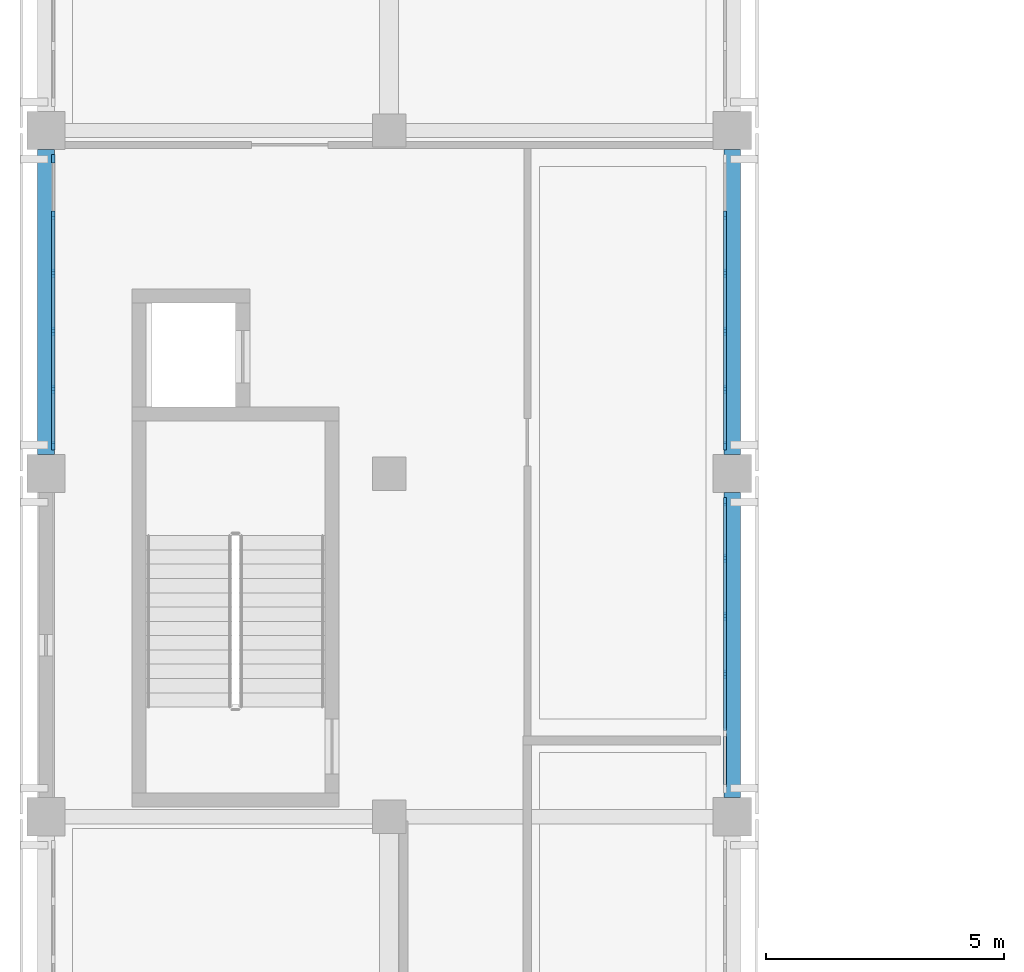
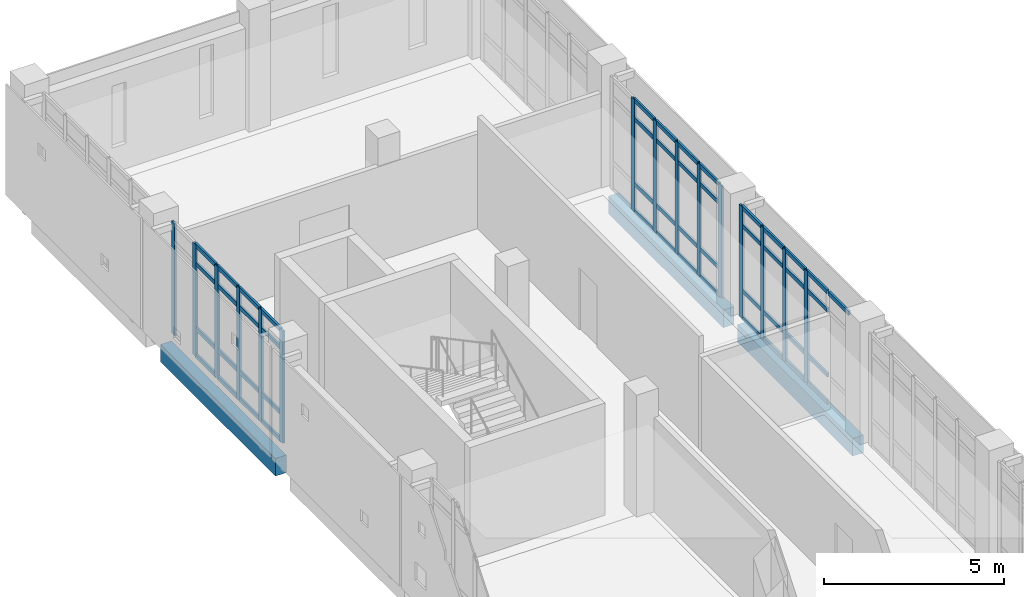
# One storey, part 9 of 33: 64 members, 3 beams, 3 elements without a shape of their own.
"""IFC4 building model written with IfcOpenShell, lengths in metres."""

from ifc_helpers import new_model, si_unit, direction, frame, origin, origin_2d, place, context, subcontext, project, spatial, rectangle, extrude, material, layer, layer_set, material_profile, profile_set, type_object, element, aggregate, save


model = new_model("IFC4")

# Units and contexts
model_context = context("Model", 3, precision=1e-05, world=origin(), true_north=direction((0.0, 1.0)))
body_context = subcontext(model_context, "Body", "Model", "MODEL_VIEW")
ifc_project = project(units=[si_unit("LENGTHUNIT", "METRE"), si_unit("AREAUNIT", "SQUARE_METRE"), si_unit("VOLUMEUNIT", "CUBIC_METRE"), si_unit("PLANEANGLEUNIT", "RADIAN"), si_unit("MASSUNIT", "GRAM", prefix="KILO")], contexts=[model_context])

# Site, building, storey
site_placement = place(None, origin())
site = spatial("IfcSite", under=ifc_project, at=site_placement, CompositionType="ELEMENT")
building_placement = place(site_placement, origin())
building = spatial("IfcBuilding", under=site, at=building_placement, Name="Valkovuoma Quantum and Materials Research Institute", CompositionType="ELEMENT")
storey_placement = place(building_placement, frame((0.0, 0.0, 21.43994140625)))
storey = spatial("IfcBuildingStorey", under=building, at=storey_placement, Name="L05", CompositionType="ELEMENT", Elevation=21.43994140625)

# Beams
ifc_material_1 = material(Name="Concrete C40/50", Category="concrete")
ifc_material_profile_1 = material_profile(ifc_material_1, rectangle(XDim=0.35009765625, YDim=0.60009765625, at=origin_2d()), Name="Concrete C40/50")
ifc_profile_set_1 = profile_set([ifc_material_profile_1], Name="Concrete C40/50")
beam_type = type_object("IfcBeamType", Name="Beam-B-SPN600", PredefinedType="SPANDREL", material=ifc_profile_set_1)
beam_1_placement = place(storey_placement, frame((0.0, 79.60009765625, -0.64990234375), z_axis=(0.0, 1.0, 0.0), x_axis=(-1.0, 0.0, 0.0)))
element("IfcBeam", 1, at=beam_1_placement, inside=storey, type_object=beam_type, Name="L05 beam Y-2186", PredefinedType="SPANDREL", context=body_context, shape_type="SweptSolid", body=[
    extrude(rectangle(XDim=0.35009765625, YDim=0.60009765625, at=origin_2d()), origin(), (0.0, 0.0, 1.0), 6.39990234375),
])
beam_2_placement = place(storey_placement, frame((14.39990234375, 72.39990234375, -0.64990234375), z_axis=(0.0, 1.0, 0.0), x_axis=(-1.0, 0.0, 0.0)))
element("IfcBeam", 2, at=beam_2_placement, inside=storey, type_object=beam_type, Name="L05 beam Y-2193", PredefinedType="SPANDREL", context=body_context, shape_type="SweptSolid", body=[
    extrude(rectangle(XDim=0.35009765625, YDim=0.60009765625, at=origin_2d()), origin(), (0.0, 0.0, 1.0), 6.400146484375),
])
beam_3_placement = place(storey_placement, frame((14.39990234375, 79.60009765625, -0.64990234375), z_axis=(0.0, 1.0, 0.0), x_axis=(-1.0, 0.0, 0.0)))
element("IfcBeam", 3, at=beam_3_placement, inside=storey, type_object=beam_type, Name="L05 beam Y-2194", PredefinedType="SPANDREL", context=body_context, shape_type="SweptSolid", body=[
    extrude(rectangle(XDim=0.35009765625, YDim=0.60009765625, at=origin_2d()), origin(), (0.0, 0.0, 1.0), 6.39990234375),
])

# Curtain wall, members
ifc_material_2 = material(Name="Thermally broken aluminium and triple low-E glazing", Category="aluminium")
ifc_layer = layer(ifc_material_2, 0.219970703125)
ifc_layer_set = layer_set([ifc_layer], Name="Thermally broken aluminium and triple low-E glazing")
curtain_wall_type = type_object("IfcCurtainWallType", Name="CW-CW-01", PredefinedType="NOTDEFINED", material=ifc_layer_set)
curtain_wall_1_placement = place(storey_placement, origin())
curtain_wall_1 = element("IfcCurtainWall", 4, at=curtain_wall_1_placement, inside=storey, type_object=curtain_wall_type, Name="L05 curtain wall 068", PredefinedType="NOTDEFINED")
ifc_material_3 = material(Name="Anodised aluminium 6060-T66", Category="aluminium")
ifc_material_profile_2 = material_profile(ifc_material_3, rectangle(XDim=0.06494140625, YDim=0.179931640625, at=origin_2d()), Name="Anodised aluminium 6060-T66")
ifc_profile_set_2 = profile_set([ifc_material_profile_2], Name="Anodised aluminium 6060-T66")
member_type_1 = type_object("IfcMemberType", Name="CWMull-CWM-01", PredefinedType="MULLION", material=ifc_profile_set_2)
member_1_placement = place(storey_placement, frame((14.25, 74.991455078125, 0.0), z_axis=(0.0, 0.0, 1.0), x_axis=(-1.0, 0.0, 0.0)))
member_1 = element("IfcMember", 5, at=member_1_placement, type_object=member_type_1, Name="CW-01 mullion 3", PredefinedType="MULLION", context=body_context, shape_type="SweptSolid", body=[
    extrude(rectangle(XDim=0.06494140625, YDim=0.179931640625, at=origin_2d()), origin(), (0.0, 0.0, 1.0), 3.81005859375),
])
member_2_placement = place(storey_placement, frame((14.25, 76.20849609375, 0.0), z_axis=(0.0, 0.0, 1.0), x_axis=(-1.0, 0.0, 0.0)))
member_2 = element("IfcMember", 6, at=member_2_placement, type_object=member_type_1, Name="CW-01 mullion 4", PredefinedType="MULLION", context=body_context, shape_type="SweptSolid", body=[
    extrude(rectangle(XDim=0.06494140625, YDim=0.179931640625, at=origin_2d()), origin(), (0.0, 0.0, 1.0), 3.81005859375),
])
member_3_placement = place(storey_placement, frame((14.25, 77.42578125, 0.0), z_axis=(0.0, 0.0, 1.0), x_axis=(-1.0, 0.0, 0.0)))
member_3 = element("IfcMember", 7, at=member_3_placement, type_object=member_type_1, Name="CW-01 mullion 5", PredefinedType="MULLION", context=body_context, shape_type="SweptSolid", body=[
    extrude(rectangle(XDim=0.06494140625, YDim=0.179931640625, at=origin_2d()), origin(), (0.0, 0.0, 1.0), 3.81005859375),
])
member_4_placement = place(storey_placement, frame((14.25, 78.6103515625, 0.0), z_axis=(0.0, 0.0, 1.0), x_axis=(-1.0, 0.0, 0.0)))
member_4 = element("IfcMember", 8, at=member_4_placement, type_object=member_type_1, Name="CW-01 mullion 6", PredefinedType="MULLION", context=body_context, shape_type="SweptSolid", body=[
    extrude(rectangle(XDim=0.06494140625, YDim=0.179931640625, at=origin_2d()), origin(), (0.0, 0.0, 1.0), 3.81005859375),
])

curtain_wall_2_placement = place(storey_placement, origin())
curtain_wall_2 = element("IfcCurtainWall", 9, at=curtain_wall_2_placement, inside=storey, type_object=curtain_wall_type, Name="L05 curtain wall 069", PredefinedType="NOTDEFINED")
member_5_placement = place(storey_placement, frame((0.14990234375, 79.78955078125, 0.0), z_axis=(0.0, 0.0, 1.0), x_axis=(-1.0, 0.0, 0.0)))
member_5 = element("IfcMember", 10, at=member_5_placement, type_object=member_type_1, Name="CW-01 mullion 1", PredefinedType="MULLION", context=body_context, shape_type="SweptSolid", body=[
    extrude(rectangle(XDim=0.06494140625, YDim=0.179931640625, at=origin_2d()), origin(), (0.0, 0.0, 1.0), 3.81005859375),
])
member_6_placement = place(storey_placement, frame((0.14990234375, 80.974365234375, 0.0), z_axis=(0.0, 0.0, 1.0), x_axis=(-1.0, 0.0, 0.0)))
member_6 = element("IfcMember", 11, at=member_6_placement, type_object=member_type_1, Name="CW-01 mullion 2", PredefinedType="MULLION", context=body_context, shape_type="SweptSolid", body=[
    extrude(rectangle(XDim=0.06494140625, YDim=0.179931640625, at=origin_2d()), origin(), (0.0, 0.0, 1.0), 3.81005859375),
])
member_7_placement = place(storey_placement, frame((0.14990234375, 82.19140625, 0.0), z_axis=(0.0, 0.0, 1.0), x_axis=(-1.0, 0.0, 0.0)))
member_7 = element("IfcMember", 12, at=member_7_placement, type_object=member_type_1, Name="CW-01 mullion 3", PredefinedType="MULLION", context=body_context, shape_type="SweptSolid", body=[
    extrude(rectangle(XDim=0.06494140625, YDim=0.179931640625, at=origin_2d()), origin(), (0.0, 0.0, 1.0), 3.81005859375),
])
member_8_placement = place(storey_placement, frame((0.14990234375, 83.40869140625, 0.0), z_axis=(0.0, 0.0, 1.0), x_axis=(-1.0, 0.0, 0.0)))
member_8 = element("IfcMember", 13, at=member_8_placement, type_object=member_type_1, Name="CW-01 mullion 4", PredefinedType="MULLION", context=body_context, shape_type="SweptSolid", body=[
    extrude(rectangle(XDim=0.06494140625, YDim=0.179931640625, at=origin_2d()), origin(), (0.0, 0.0, 1.0), 3.81005859375),
])
member_9_placement = place(storey_placement, frame((0.14990234375, 84.625732421875, 0.0), z_axis=(0.0, 0.0, 1.0), x_axis=(-1.0, 0.0, 0.0)))
member_9 = element("IfcMember", 14, at=member_9_placement, type_object=member_type_1, Name="CW-01 mullion 5", PredefinedType="MULLION", context=body_context, shape_type="SweptSolid", body=[
    extrude(rectangle(XDim=0.06494140625, YDim=0.179931640625, at=origin_2d()), origin(), (0.0, 0.0, 1.0), 3.81005859375),
])
member_10_placement = place(storey_placement, frame((0.14990234375, 85.810302734375, 0.0), z_axis=(0.0, 0.0, 1.0), x_axis=(-1.0, 0.0, 0.0)))
member_10 = element("IfcMember", 15, at=member_10_placement, type_object=member_type_1, Name="CW-01 mullion 6", PredefinedType="MULLION", context=body_context, shape_type="SweptSolid", body=[
    extrude(rectangle(XDim=0.06494140625, YDim=0.179931640625, at=origin_2d()), origin(), (0.0, 0.0, 1.0), 3.81005859375),
])

curtain_wall_3_placement = place(storey_placement, origin())
curtain_wall_3 = element("IfcCurtainWall", 16, at=curtain_wall_3_placement, inside=storey, type_object=curtain_wall_type, Name="L05 curtain wall 070", PredefinedType="NOTDEFINED")
member_11_placement = place(storey_placement, frame((14.25, 79.78955078125, 0.0), z_axis=(0.0, 0.0, 1.0), x_axis=(-1.0, 0.0, 0.0)))
member_11 = element("IfcMember", 17, at=member_11_placement, type_object=member_type_1, Name="CW-01 mullion 1", PredefinedType="MULLION", context=body_context, shape_type="SweptSolid", body=[
    extrude(rectangle(XDim=0.06494140625, YDim=0.179931640625, at=origin_2d()), origin(), (0.0, 0.0, 1.0), 3.81005859375),
])
member_12_placement = place(storey_placement, frame((14.25, 80.974365234375, 0.0), z_axis=(0.0, 0.0, 1.0), x_axis=(-1.0, 0.0, 0.0)))
member_12 = element("IfcMember", 18, at=member_12_placement, type_object=member_type_1, Name="CW-01 mullion 2", PredefinedType="MULLION", context=body_context, shape_type="SweptSolid", body=[
    extrude(rectangle(XDim=0.06494140625, YDim=0.179931640625, at=origin_2d()), origin(), (0.0, 0.0, 1.0), 3.81005859375),
])
member_13_placement = place(storey_placement, frame((14.25, 82.19140625, 0.0), z_axis=(0.0, 0.0, 1.0), x_axis=(-1.0, 0.0, 0.0)))
member_13 = element("IfcMember", 19, at=member_13_placement, type_object=member_type_1, Name="CW-01 mullion 3", PredefinedType="MULLION", context=body_context, shape_type="SweptSolid", body=[
    extrude(rectangle(XDim=0.06494140625, YDim=0.179931640625, at=origin_2d()), origin(), (0.0, 0.0, 1.0), 3.81005859375),
])
member_14_placement = place(storey_placement, frame((14.25, 83.40869140625, 0.0), z_axis=(0.0, 0.0, 1.0), x_axis=(-1.0, 0.0, 0.0)))
member_14 = element("IfcMember", 20, at=member_14_placement, type_object=member_type_1, Name="CW-01 mullion 4", PredefinedType="MULLION", context=body_context, shape_type="SweptSolid", body=[
    extrude(rectangle(XDim=0.06494140625, YDim=0.179931640625, at=origin_2d()), origin(), (0.0, 0.0, 1.0), 3.81005859375),
])
member_15_placement = place(storey_placement, frame((14.25, 84.625732421875, 0.0), z_axis=(0.0, 0.0, 1.0), x_axis=(-1.0, 0.0, 0.0)))
member_15 = element("IfcMember", 21, at=member_15_placement, type_object=member_type_1, Name="CW-01 mullion 5", PredefinedType="MULLION", context=body_context, shape_type="SweptSolid", body=[
    extrude(rectangle(XDim=0.06494140625, YDim=0.179931640625, at=origin_2d()), origin(), (0.0, 0.0, 1.0), 3.81005859375),
])

# Member
ifc_material_4 = material(Name="Anodised aluminium 6060-T66", Category="aluminium")
ifc_material_profile_3 = material_profile(ifc_material_4, rectangle(XDim=0.06494140625, YDim=0.139892578125, at=origin_2d()), Name="Anodised aluminium 6060-T66")
ifc_profile_set_3 = profile_set([ifc_material_profile_3], Name="Anodised aluminium 6060-T66")
member_type_2 = type_object("IfcMemberType", Name="CWTran-CWT-01", PredefinedType="USERDEFINED", material=ifc_profile_set_3)
member_16_placement = place(storey_placement, frame((14.25, 72.6220703125, 3.777587890625), z_axis=(0.0, 1.0, 0.0), x_axis=(-1.0, 0.0, 0.0)))
member_16 = element("IfcMember", 22, at=member_16_placement, type_object=member_type_2, Name="CW-01 transom 1.4", ObjectType="TRANSOM", PredefinedType="USERDEFINED", context=body_context, shape_type="SweptSolid", body=[
    extrude(rectangle(XDim=0.06494140625, YDim=0.139892578125, at=origin_2d()), origin(), (0.0, 0.0, 1.0), 1.11962890625),
])

member_17_placement = place(storey_placement, frame((14.25, 73.806640625, 0.032470703125), z_axis=(0.0, 1.0, 0.0), x_axis=(-1.0, 0.0, 0.0)))
member_17 = element("IfcMember", 23, at=member_17_placement, type_object=member_type_2, Name="CW-01 transom 2.1", ObjectType="TRANSOM", PredefinedType="USERDEFINED", context=body_context, shape_type="SweptSolid", body=[
    extrude(rectangle(XDim=0.06494140625, YDim=0.139892578125, at=origin_2d()), origin(), (0.0, 0.0, 1.0), 1.15234375),
])

member_18_placement = place(storey_placement, frame((14.25, 73.806640625, 0.949951171875), z_axis=(0.0, 1.0, 0.0), x_axis=(-1.0, 0.0, 0.0)))
member_18 = element("IfcMember", 24, at=member_18_placement, type_object=member_type_2, Name="CW-01 transom 2.2", ObjectType="TRANSOM", PredefinedType="USERDEFINED", context=body_context, shape_type="SweptSolid", body=[
    extrude(rectangle(XDim=0.06494140625, YDim=0.139892578125, at=origin_2d()), origin(), (0.0, 0.0, 1.0), 1.15234375),
])

member_19_placement = place(storey_placement, frame((14.25, 73.806640625, 3.16015625), z_axis=(0.0, 1.0, 0.0), x_axis=(-1.0, 0.0, 0.0)))
member_19 = element("IfcMember", 25, at=member_19_placement, type_object=member_type_2, Name="CW-01 transom 2.3", ObjectType="TRANSOM", PredefinedType="USERDEFINED", context=body_context, shape_type="SweptSolid", body=[
    extrude(rectangle(XDim=0.06494140625, YDim=0.139892578125, at=origin_2d()), origin(), (0.0, 0.0, 1.0), 1.15234375),
])

member_20_placement = place(storey_placement, frame((14.25, 73.806640625, 3.777587890625), z_axis=(0.0, 1.0, 0.0), x_axis=(-1.0, 0.0, 0.0)))
member_20 = element("IfcMember", 26, at=member_20_placement, type_object=member_type_2, Name="CW-01 transom 2.4", ObjectType="TRANSOM", PredefinedType="USERDEFINED", context=body_context, shape_type="SweptSolid", body=[
    extrude(rectangle(XDim=0.06494140625, YDim=0.139892578125, at=origin_2d()), origin(), (0.0, 0.0, 1.0), 1.15234375),
])

member_21_placement = place(storey_placement, frame((14.25, 75.02392578125, 0.032470703125), z_axis=(0.0, 1.0, 0.0), x_axis=(-1.0, 0.0, 0.0)))
member_21 = element("IfcMember", 27, at=member_21_placement, type_object=member_type_2, Name="CW-01 transom 3.1", ObjectType="TRANSOM", PredefinedType="USERDEFINED", context=body_context, shape_type="SweptSolid", body=[
    extrude(rectangle(XDim=0.06494140625, YDim=0.139892578125, at=origin_2d()), origin(), (0.0, 0.0, 1.0), 1.152099609375),
])

member_22_placement = place(storey_placement, frame((14.25, 75.02392578125, 0.949951171875), z_axis=(0.0, 1.0, 0.0), x_axis=(-1.0, 0.0, 0.0)))
member_22 = element("IfcMember", 28, at=member_22_placement, type_object=member_type_2, Name="CW-01 transom 3.2", ObjectType="TRANSOM", PredefinedType="USERDEFINED", context=body_context, shape_type="SweptSolid", body=[
    extrude(rectangle(XDim=0.06494140625, YDim=0.139892578125, at=origin_2d()), origin(), (0.0, 0.0, 1.0), 1.152099609375),
])

member_23_placement = place(storey_placement, frame((14.25, 75.02392578125, 3.16015625), z_axis=(0.0, 1.0, 0.0), x_axis=(-1.0, 0.0, 0.0)))
member_23 = element("IfcMember", 29, at=member_23_placement, type_object=member_type_2, Name="CW-01 transom 3.3", ObjectType="TRANSOM", PredefinedType="USERDEFINED", context=body_context, shape_type="SweptSolid", body=[
    extrude(rectangle(XDim=0.06494140625, YDim=0.139892578125, at=origin_2d()), origin(), (0.0, 0.0, 1.0), 1.152099609375),
])

member_24_placement = place(storey_placement, frame((14.25, 75.02392578125, 3.777587890625), z_axis=(0.0, 1.0, 0.0), x_axis=(-1.0, 0.0, 0.0)))
member_24 = element("IfcMember", 30, at=member_24_placement, type_object=member_type_2, Name="CW-01 transom 3.4", ObjectType="TRANSOM", PredefinedType="USERDEFINED", context=body_context, shape_type="SweptSolid", body=[
    extrude(rectangle(XDim=0.06494140625, YDim=0.139892578125, at=origin_2d()), origin(), (0.0, 0.0, 1.0), 1.152099609375),
])

member_25_placement = place(storey_placement, frame((14.25, 76.240966796875, 0.032470703125), z_axis=(0.0, 1.0, 0.0), x_axis=(-1.0, 0.0, 0.0)))
member_25 = element("IfcMember", 31, at=member_25_placement, type_object=member_type_2, Name="CW-01 transom 4.1", ObjectType="TRANSOM", PredefinedType="USERDEFINED", context=body_context, shape_type="SweptSolid", body=[
    extrude(rectangle(XDim=0.06494140625, YDim=0.139892578125, at=origin_2d()), origin(), (0.0, 0.0, 1.0), 1.15234375),
])

member_26_placement = place(storey_placement, frame((14.25, 76.240966796875, 0.949951171875), z_axis=(0.0, 1.0, 0.0), x_axis=(-1.0, 0.0, 0.0)))
member_26 = element("IfcMember", 32, at=member_26_placement, type_object=member_type_2, Name="CW-01 transom 4.2", ObjectType="TRANSOM", PredefinedType="USERDEFINED", context=body_context, shape_type="SweptSolid", body=[
    extrude(rectangle(XDim=0.06494140625, YDim=0.139892578125, at=origin_2d()), origin(), (0.0, 0.0, 1.0), 1.15234375),
])

member_27_placement = place(storey_placement, frame((14.25, 76.240966796875, 3.16015625), z_axis=(0.0, 1.0, 0.0), x_axis=(-1.0, 0.0, 0.0)))
member_27 = element("IfcMember", 33, at=member_27_placement, type_object=member_type_2, Name="CW-01 transom 4.3", ObjectType="TRANSOM", PredefinedType="USERDEFINED", context=body_context, shape_type="SweptSolid", body=[
    extrude(rectangle(XDim=0.06494140625, YDim=0.139892578125, at=origin_2d()), origin(), (0.0, 0.0, 1.0), 1.15234375),
])

member_28_placement = place(storey_placement, frame((14.25, 76.240966796875, 3.777587890625), z_axis=(0.0, 1.0, 0.0), x_axis=(-1.0, 0.0, 0.0)))
member_28 = element("IfcMember", 34, at=member_28_placement, type_object=member_type_2, Name="CW-01 transom 4.4", ObjectType="TRANSOM", PredefinedType="USERDEFINED", context=body_context, shape_type="SweptSolid", body=[
    extrude(rectangle(XDim=0.06494140625, YDim=0.139892578125, at=origin_2d()), origin(), (0.0, 0.0, 1.0), 1.15234375),
])

member_29_placement = place(storey_placement, frame((14.25, 77.458251953125, 0.032470703125), z_axis=(0.0, 1.0, 0.0), x_axis=(-1.0, 0.0, 0.0)))
member_29 = element("IfcMember", 35, at=member_29_placement, type_object=member_type_2, Name="CW-01 transom 5.1", ObjectType="TRANSOM", PredefinedType="USERDEFINED", context=body_context, shape_type="SweptSolid", body=[
    extrude(rectangle(XDim=0.06494140625, YDim=0.139892578125, at=origin_2d()), origin(), (0.0, 0.0, 1.0), 1.11962890625),
])

member_30_placement = place(storey_placement, frame((14.25, 77.458251953125, 0.949951171875), z_axis=(0.0, 1.0, 0.0), x_axis=(-1.0, 0.0, 0.0)))
member_30 = element("IfcMember", 36, at=member_30_placement, type_object=member_type_2, Name="CW-01 transom 5.2", ObjectType="TRANSOM", PredefinedType="USERDEFINED", context=body_context, shape_type="SweptSolid", body=[
    extrude(rectangle(XDim=0.06494140625, YDim=0.139892578125, at=origin_2d()), origin(), (0.0, 0.0, 1.0), 1.11962890625),
])

member_31_placement = place(storey_placement, frame((14.25, 77.458251953125, 3.16015625), z_axis=(0.0, 1.0, 0.0), x_axis=(-1.0, 0.0, 0.0)))
member_31 = element("IfcMember", 37, at=member_31_placement, type_object=member_type_2, Name="CW-01 transom 5.3", ObjectType="TRANSOM", PredefinedType="USERDEFINED", context=body_context, shape_type="SweptSolid", body=[
    extrude(rectangle(XDim=0.06494140625, YDim=0.139892578125, at=origin_2d()), origin(), (0.0, 0.0, 1.0), 1.11962890625),
])

member_32_placement = place(storey_placement, frame((14.25, 77.458251953125, 3.777587890625), z_axis=(0.0, 1.0, 0.0), x_axis=(-1.0, 0.0, 0.0)))
member_32 = element("IfcMember", 38, at=member_32_placement, type_object=member_type_2, Name="CW-01 transom 5.4", ObjectType="TRANSOM", PredefinedType="USERDEFINED", context=body_context, shape_type="SweptSolid", body=[
    extrude(rectangle(XDim=0.06494140625, YDim=0.139892578125, at=origin_2d()), origin(), (0.0, 0.0, 1.0), 1.11962890625),
])

aggregate(curtain_wall_1, [member_1, member_2, member_3, member_4, member_16, member_17, member_18, member_19, member_20, member_21, member_22, member_23, member_24, member_25, member_26, member_27, member_28, member_29, member_30, member_31, member_32])

member_33_placement = place(storey_placement, frame((0.14990234375, 79.822021484375, 0.032470703125), z_axis=(0.0, 1.0, 0.0), x_axis=(-1.0, 0.0, 0.0)))
member_33 = element("IfcMember", 39, at=member_33_placement, type_object=member_type_2, Name="CW-01 transom 1.1", ObjectType="TRANSOM", PredefinedType="USERDEFINED", context=body_context, shape_type="SweptSolid", body=[
    extrude(rectangle(XDim=0.06494140625, YDim=0.139892578125, at=origin_2d()), origin(), (0.0, 0.0, 1.0), 1.11962890625),
])

member_34_placement = place(storey_placement, frame((0.14990234375, 79.822021484375, 0.949951171875), z_axis=(0.0, 1.0, 0.0), x_axis=(-1.0, 0.0, 0.0)))
member_34 = element("IfcMember", 40, at=member_34_placement, type_object=member_type_2, Name="CW-01 transom 1.2", ObjectType="TRANSOM", PredefinedType="USERDEFINED", context=body_context, shape_type="SweptSolid", body=[
    extrude(rectangle(XDim=0.06494140625, YDim=0.139892578125, at=origin_2d()), origin(), (0.0, 0.0, 1.0), 1.11962890625),
])

member_35_placement = place(storey_placement, frame((0.14990234375, 79.822021484375, 3.16015625), z_axis=(0.0, 1.0, 0.0), x_axis=(-1.0, 0.0, 0.0)))
member_35 = element("IfcMember", 41, at=member_35_placement, type_object=member_type_2, Name="CW-01 transom 1.3", ObjectType="TRANSOM", PredefinedType="USERDEFINED", context=body_context, shape_type="SweptSolid", body=[
    extrude(rectangle(XDim=0.06494140625, YDim=0.139892578125, at=origin_2d()), origin(), (0.0, 0.0, 1.0), 1.11962890625),
])

member_36_placement = place(storey_placement, frame((0.14990234375, 79.822021484375, 3.777587890625), z_axis=(0.0, 1.0, 0.0), x_axis=(-1.0, 0.0, 0.0)))
member_36 = element("IfcMember", 42, at=member_36_placement, type_object=member_type_2, Name="CW-01 transom 1.4", ObjectType="TRANSOM", PredefinedType="USERDEFINED", context=body_context, shape_type="SweptSolid", body=[
    extrude(rectangle(XDim=0.06494140625, YDim=0.139892578125, at=origin_2d()), origin(), (0.0, 0.0, 1.0), 1.11962890625),
])

member_37_placement = place(storey_placement, frame((0.14990234375, 81.0068359375, 0.032470703125), z_axis=(0.0, 1.0, 0.0), x_axis=(-1.0, 0.0, 0.0)))
member_37 = element("IfcMember", 43, at=member_37_placement, type_object=member_type_2, Name="CW-01 transom 2.1", ObjectType="TRANSOM", PredefinedType="USERDEFINED", context=body_context, shape_type="SweptSolid", body=[
    extrude(rectangle(XDim=0.06494140625, YDim=0.139892578125, at=origin_2d()), origin(), (0.0, 0.0, 1.0), 1.152099609375),
])

member_38_placement = place(storey_placement, frame((0.14990234375, 81.0068359375, 0.949951171875), z_axis=(0.0, 1.0, 0.0), x_axis=(-1.0, 0.0, 0.0)))
member_38 = element("IfcMember", 44, at=member_38_placement, type_object=member_type_2, Name="CW-01 transom 2.2", ObjectType="TRANSOM", PredefinedType="USERDEFINED", context=body_context, shape_type="SweptSolid", body=[
    extrude(rectangle(XDim=0.06494140625, YDim=0.139892578125, at=origin_2d()), origin(), (0.0, 0.0, 1.0), 1.152099609375),
])

member_39_placement = place(storey_placement, frame((0.14990234375, 81.0068359375, 3.16015625), z_axis=(0.0, 1.0, 0.0), x_axis=(-1.0, 0.0, 0.0)))
member_39 = element("IfcMember", 45, at=member_39_placement, type_object=member_type_2, Name="CW-01 transom 2.3", ObjectType="TRANSOM", PredefinedType="USERDEFINED", context=body_context, shape_type="SweptSolid", body=[
    extrude(rectangle(XDim=0.06494140625, YDim=0.139892578125, at=origin_2d()), origin(), (0.0, 0.0, 1.0), 1.152099609375),
])

member_40_placement = place(storey_placement, frame((0.14990234375, 81.0068359375, 3.777587890625), z_axis=(0.0, 1.0, 0.0), x_axis=(-1.0, 0.0, 0.0)))
member_40 = element("IfcMember", 46, at=member_40_placement, type_object=member_type_2, Name="CW-01 transom 2.4", ObjectType="TRANSOM", PredefinedType="USERDEFINED", context=body_context, shape_type="SweptSolid", body=[
    extrude(rectangle(XDim=0.06494140625, YDim=0.139892578125, at=origin_2d()), origin(), (0.0, 0.0, 1.0), 1.152099609375),
])

member_41_placement = place(storey_placement, frame((0.14990234375, 82.223876953125, 0.032470703125), z_axis=(0.0, 1.0, 0.0), x_axis=(-1.0, 0.0, 0.0)))
member_41 = element("IfcMember", 47, at=member_41_placement, type_object=member_type_2, Name="CW-01 transom 3.1", ObjectType="TRANSOM", PredefinedType="USERDEFINED", context=body_context, shape_type="SweptSolid", body=[
    extrude(rectangle(XDim=0.06494140625, YDim=0.139892578125, at=origin_2d()), origin(), (0.0, 0.0, 1.0), 1.152099609375),
])

member_42_placement = place(storey_placement, frame((0.14990234375, 82.223876953125, 0.949951171875), z_axis=(0.0, 1.0, 0.0), x_axis=(-1.0, 0.0, 0.0)))
member_42 = element("IfcMember", 48, at=member_42_placement, type_object=member_type_2, Name="CW-01 transom 3.2", ObjectType="TRANSOM", PredefinedType="USERDEFINED", context=body_context, shape_type="SweptSolid", body=[
    extrude(rectangle(XDim=0.06494140625, YDim=0.139892578125, at=origin_2d()), origin(), (0.0, 0.0, 1.0), 1.152099609375),
])

member_43_placement = place(storey_placement, frame((0.14990234375, 82.223876953125, 3.16015625), z_axis=(0.0, 1.0, 0.0), x_axis=(-1.0, 0.0, 0.0)))
member_43 = element("IfcMember", 49, at=member_43_placement, type_object=member_type_2, Name="CW-01 transom 3.3", ObjectType="TRANSOM", PredefinedType="USERDEFINED", context=body_context, shape_type="SweptSolid", body=[
    extrude(rectangle(XDim=0.06494140625, YDim=0.139892578125, at=origin_2d()), origin(), (0.0, 0.0, 1.0), 1.152099609375),
])

member_44_placement = place(storey_placement, frame((0.14990234375, 82.223876953125, 3.777587890625), z_axis=(0.0, 1.0, 0.0), x_axis=(-1.0, 0.0, 0.0)))
member_44 = element("IfcMember", 50, at=member_44_placement, type_object=member_type_2, Name="CW-01 transom 3.4", ObjectType="TRANSOM", PredefinedType="USERDEFINED", context=body_context, shape_type="SweptSolid", body=[
    extrude(rectangle(XDim=0.06494140625, YDim=0.139892578125, at=origin_2d()), origin(), (0.0, 0.0, 1.0), 1.152099609375),
])

member_45_placement = place(storey_placement, frame((0.14990234375, 83.441162109375, 0.032470703125), z_axis=(0.0, 1.0, 0.0), x_axis=(-1.0, 0.0, 0.0)))
member_45 = element("IfcMember", 51, at=member_45_placement, type_object=member_type_2, Name="CW-01 transom 4.1", ObjectType="TRANSOM", PredefinedType="USERDEFINED", context=body_context, shape_type="SweptSolid", body=[
    extrude(rectangle(XDim=0.06494140625, YDim=0.139892578125, at=origin_2d()), origin(), (0.0, 0.0, 1.0), 1.152099609375),
])

member_46_placement = place(storey_placement, frame((0.14990234375, 83.441162109375, 0.949951171875), z_axis=(0.0, 1.0, 0.0), x_axis=(-1.0, 0.0, 0.0)))
member_46 = element("IfcMember", 52, at=member_46_placement, type_object=member_type_2, Name="CW-01 transom 4.2", ObjectType="TRANSOM", PredefinedType="USERDEFINED", context=body_context, shape_type="SweptSolid", body=[
    extrude(rectangle(XDim=0.06494140625, YDim=0.139892578125, at=origin_2d()), origin(), (0.0, 0.0, 1.0), 1.152099609375),
])

member_47_placement = place(storey_placement, frame((0.14990234375, 83.441162109375, 3.16015625), z_axis=(0.0, 1.0, 0.0), x_axis=(-1.0, 0.0, 0.0)))
member_47 = element("IfcMember", 53, at=member_47_placement, type_object=member_type_2, Name="CW-01 transom 4.3", ObjectType="TRANSOM", PredefinedType="USERDEFINED", context=body_context, shape_type="SweptSolid", body=[
    extrude(rectangle(XDim=0.06494140625, YDim=0.139892578125, at=origin_2d()), origin(), (0.0, 0.0, 1.0), 1.152099609375),
])

member_48_placement = place(storey_placement, frame((0.14990234375, 83.441162109375, 3.777587890625), z_axis=(0.0, 1.0, 0.0), x_axis=(-1.0, 0.0, 0.0)))
member_48 = element("IfcMember", 54, at=member_48_placement, type_object=member_type_2, Name="CW-01 transom 4.4", ObjectType="TRANSOM", PredefinedType="USERDEFINED", context=body_context, shape_type="SweptSolid", body=[
    extrude(rectangle(XDim=0.06494140625, YDim=0.139892578125, at=origin_2d()), origin(), (0.0, 0.0, 1.0), 1.152099609375),
])

aggregate(curtain_wall_2, [member_5, member_6, member_7, member_8, member_9, member_10, member_33, member_34, member_35, member_36, member_37, member_38, member_39, member_40, member_41, member_42, member_43, member_44, member_45, member_46, member_47, member_48])

member_49_placement = place(storey_placement, frame((14.25, 79.822021484375, 0.032470703125), z_axis=(0.0, 1.0, 0.0), x_axis=(-1.0, 0.0, 0.0)))
member_49 = element("IfcMember", 55, at=member_49_placement, type_object=member_type_2, Name="CW-01 transom 1.1", ObjectType="TRANSOM", PredefinedType="USERDEFINED", context=body_context, shape_type="SweptSolid", body=[
    extrude(rectangle(XDim=0.06494140625, YDim=0.139892578125, at=origin_2d()), origin(), (0.0, 0.0, 1.0), 1.11962890625),
])

member_50_placement = place(storey_placement, frame((14.25, 79.822021484375, 0.949951171875), z_axis=(0.0, 1.0, 0.0), x_axis=(-1.0, 0.0, 0.0)))
member_50 = element("IfcMember", 56, at=member_50_placement, type_object=member_type_2, Name="CW-01 transom 1.2", ObjectType="TRANSOM", PredefinedType="USERDEFINED", context=body_context, shape_type="SweptSolid", body=[
    extrude(rectangle(XDim=0.06494140625, YDim=0.139892578125, at=origin_2d()), origin(), (0.0, 0.0, 1.0), 1.11962890625),
])

member_51_placement = place(storey_placement, frame((14.25, 79.822021484375, 3.16015625), z_axis=(0.0, 1.0, 0.0), x_axis=(-1.0, 0.0, 0.0)))
member_51 = element("IfcMember", 57, at=member_51_placement, type_object=member_type_2, Name="CW-01 transom 1.3", ObjectType="TRANSOM", PredefinedType="USERDEFINED", context=body_context, shape_type="SweptSolid", body=[
    extrude(rectangle(XDim=0.06494140625, YDim=0.139892578125, at=origin_2d()), origin(), (0.0, 0.0, 1.0), 1.11962890625),
])

member_52_placement = place(storey_placement, frame((14.25, 79.822021484375, 3.777587890625), z_axis=(0.0, 1.0, 0.0), x_axis=(-1.0, 0.0, 0.0)))
member_52 = element("IfcMember", 58, at=member_52_placement, type_object=member_type_2, Name="CW-01 transom 1.4", ObjectType="TRANSOM", PredefinedType="USERDEFINED", context=body_context, shape_type="SweptSolid", body=[
    extrude(rectangle(XDim=0.06494140625, YDim=0.139892578125, at=origin_2d()), origin(), (0.0, 0.0, 1.0), 1.11962890625),
])

member_53_placement = place(storey_placement, frame((14.25, 81.0068359375, 0.032470703125), z_axis=(0.0, 1.0, 0.0), x_axis=(-1.0, 0.0, 0.0)))
member_53 = element("IfcMember", 59, at=member_53_placement, type_object=member_type_2, Name="CW-01 transom 2.1", ObjectType="TRANSOM", PredefinedType="USERDEFINED", context=body_context, shape_type="SweptSolid", body=[
    extrude(rectangle(XDim=0.06494140625, YDim=0.139892578125, at=origin_2d()), origin(), (0.0, 0.0, 1.0), 1.152099609375),
])

member_54_placement = place(storey_placement, frame((14.25, 81.0068359375, 0.949951171875), z_axis=(0.0, 1.0, 0.0), x_axis=(-1.0, 0.0, 0.0)))
member_54 = element("IfcMember", 60, at=member_54_placement, type_object=member_type_2, Name="CW-01 transom 2.2", ObjectType="TRANSOM", PredefinedType="USERDEFINED", context=body_context, shape_type="SweptSolid", body=[
    extrude(rectangle(XDim=0.06494140625, YDim=0.139892578125, at=origin_2d()), origin(), (0.0, 0.0, 1.0), 1.152099609375),
])

member_55_placement = place(storey_placement, frame((14.25, 81.0068359375, 3.16015625), z_axis=(0.0, 1.0, 0.0), x_axis=(-1.0, 0.0, 0.0)))
member_55 = element("IfcMember", 61, at=member_55_placement, type_object=member_type_2, Name="CW-01 transom 2.3", ObjectType="TRANSOM", PredefinedType="USERDEFINED", context=body_context, shape_type="SweptSolid", body=[
    extrude(rectangle(XDim=0.06494140625, YDim=0.139892578125, at=origin_2d()), origin(), (0.0, 0.0, 1.0), 1.152099609375),
])

member_56_placement = place(storey_placement, frame((14.25, 81.0068359375, 3.777587890625), z_axis=(0.0, 1.0, 0.0), x_axis=(-1.0, 0.0, 0.0)))
member_56 = element("IfcMember", 62, at=member_56_placement, type_object=member_type_2, Name="CW-01 transom 2.4", ObjectType="TRANSOM", PredefinedType="USERDEFINED", context=body_context, shape_type="SweptSolid", body=[
    extrude(rectangle(XDim=0.06494140625, YDim=0.139892578125, at=origin_2d()), origin(), (0.0, 0.0, 1.0), 1.152099609375),
])

member_57_placement = place(storey_placement, frame((14.25, 82.223876953125, 0.032470703125), z_axis=(0.0, 1.0, 0.0), x_axis=(-1.0, 0.0, 0.0)))
member_57 = element("IfcMember", 63, at=member_57_placement, type_object=member_type_2, Name="CW-01 transom 3.1", ObjectType="TRANSOM", PredefinedType="USERDEFINED", context=body_context, shape_type="SweptSolid", body=[
    extrude(rectangle(XDim=0.06494140625, YDim=0.139892578125, at=origin_2d()), origin(), (0.0, 0.0, 1.0), 1.152099609375),
])

member_58_placement = place(storey_placement, frame((14.25, 82.223876953125, 0.949951171875), z_axis=(0.0, 1.0, 0.0), x_axis=(-1.0, 0.0, 0.0)))
member_58 = element("IfcMember", 64, at=member_58_placement, type_object=member_type_2, Name="CW-01 transom 3.2", ObjectType="TRANSOM", PredefinedType="USERDEFINED", context=body_context, shape_type="SweptSolid", body=[
    extrude(rectangle(XDim=0.06494140625, YDim=0.139892578125, at=origin_2d()), origin(), (0.0, 0.0, 1.0), 1.152099609375),
])

member_59_placement = place(storey_placement, frame((14.25, 82.223876953125, 3.16015625), z_axis=(0.0, 1.0, 0.0), x_axis=(-1.0, 0.0, 0.0)))
member_59 = element("IfcMember", 65, at=member_59_placement, type_object=member_type_2, Name="CW-01 transom 3.3", ObjectType="TRANSOM", PredefinedType="USERDEFINED", context=body_context, shape_type="SweptSolid", body=[
    extrude(rectangle(XDim=0.06494140625, YDim=0.139892578125, at=origin_2d()), origin(), (0.0, 0.0, 1.0), 1.152099609375),
])

member_60_placement = place(storey_placement, frame((14.25, 82.223876953125, 3.777587890625), z_axis=(0.0, 1.0, 0.0), x_axis=(-1.0, 0.0, 0.0)))
member_60 = element("IfcMember", 66, at=member_60_placement, type_object=member_type_2, Name="CW-01 transom 3.4", ObjectType="TRANSOM", PredefinedType="USERDEFINED", context=body_context, shape_type="SweptSolid", body=[
    extrude(rectangle(XDim=0.06494140625, YDim=0.139892578125, at=origin_2d()), origin(), (0.0, 0.0, 1.0), 1.152099609375),
])

member_61_placement = place(storey_placement, frame((14.25, 83.441162109375, 0.032470703125), z_axis=(0.0, 1.0, 0.0), x_axis=(-1.0, 0.0, 0.0)))
member_61 = element("IfcMember", 67, at=member_61_placement, type_object=member_type_2, Name="CW-01 transom 4.1", ObjectType="TRANSOM", PredefinedType="USERDEFINED", context=body_context, shape_type="SweptSolid", body=[
    extrude(rectangle(XDim=0.06494140625, YDim=0.139892578125, at=origin_2d()), origin(), (0.0, 0.0, 1.0), 1.152099609375),
])

member_62_placement = place(storey_placement, frame((14.25, 83.441162109375, 0.949951171875), z_axis=(0.0, 1.0, 0.0), x_axis=(-1.0, 0.0, 0.0)))
member_62 = element("IfcMember", 68, at=member_62_placement, type_object=member_type_2, Name="CW-01 transom 4.2", ObjectType="TRANSOM", PredefinedType="USERDEFINED", context=body_context, shape_type="SweptSolid", body=[
    extrude(rectangle(XDim=0.06494140625, YDim=0.139892578125, at=origin_2d()), origin(), (0.0, 0.0, 1.0), 1.152099609375),
])

member_63_placement = place(storey_placement, frame((14.25, 83.441162109375, 3.16015625), z_axis=(0.0, 1.0, 0.0), x_axis=(-1.0, 0.0, 0.0)))
member_63 = element("IfcMember", 69, at=member_63_placement, type_object=member_type_2, Name="CW-01 transom 4.3", ObjectType="TRANSOM", PredefinedType="USERDEFINED", context=body_context, shape_type="SweptSolid", body=[
    extrude(rectangle(XDim=0.06494140625, YDim=0.139892578125, at=origin_2d()), origin(), (0.0, 0.0, 1.0), 1.152099609375),
])

member_64_placement = place(storey_placement, frame((14.25, 83.441162109375, 3.777587890625), z_axis=(0.0, 1.0, 0.0), x_axis=(-1.0, 0.0, 0.0)))
member_64 = element("IfcMember", 70, at=member_64_placement, type_object=member_type_2, Name="CW-01 transom 4.4", ObjectType="TRANSOM", PredefinedType="USERDEFINED", context=body_context, shape_type="SweptSolid", body=[
    extrude(rectangle(XDim=0.06494140625, YDim=0.139892578125, at=origin_2d()), origin(), (0.0, 0.0, 1.0), 1.152099609375),
])

aggregate(curtain_wall_3, [member_11, member_12, member_13, member_14, member_15, member_49, member_50, member_51, member_52, member_53, member_54, member_55, member_56, member_57, member_58, member_59, member_60, member_61, member_62, member_63, member_64])

save(model, "model.ifc")
